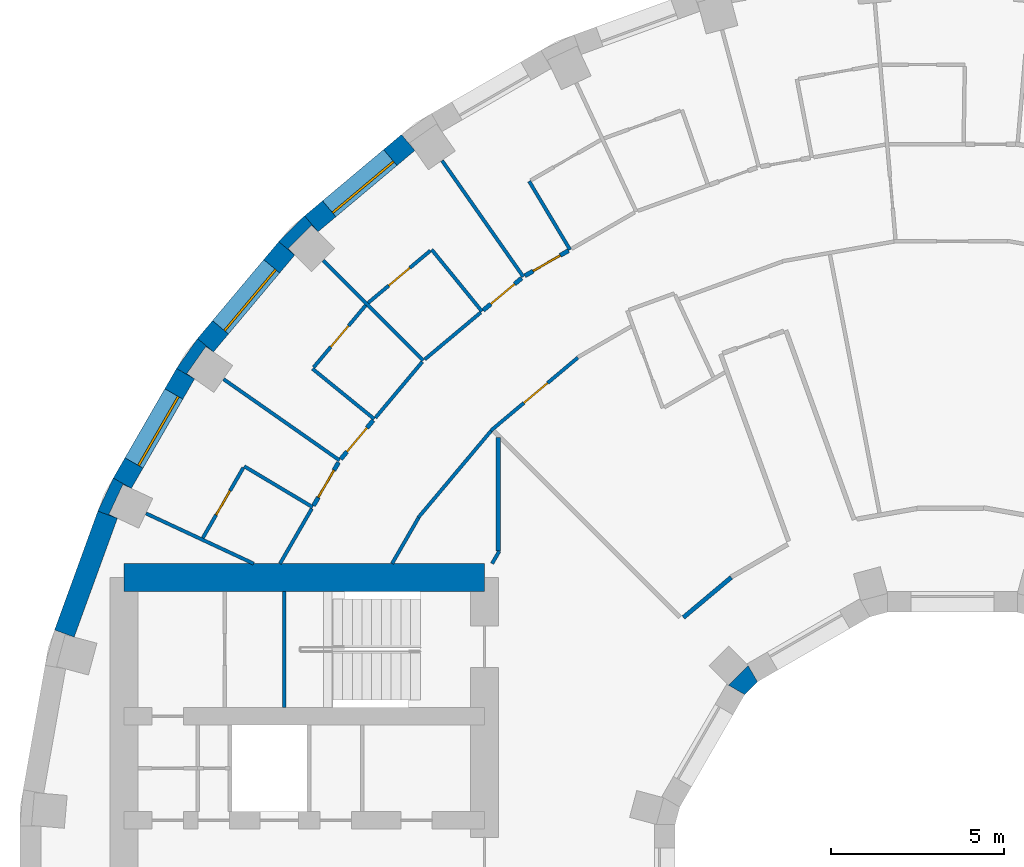
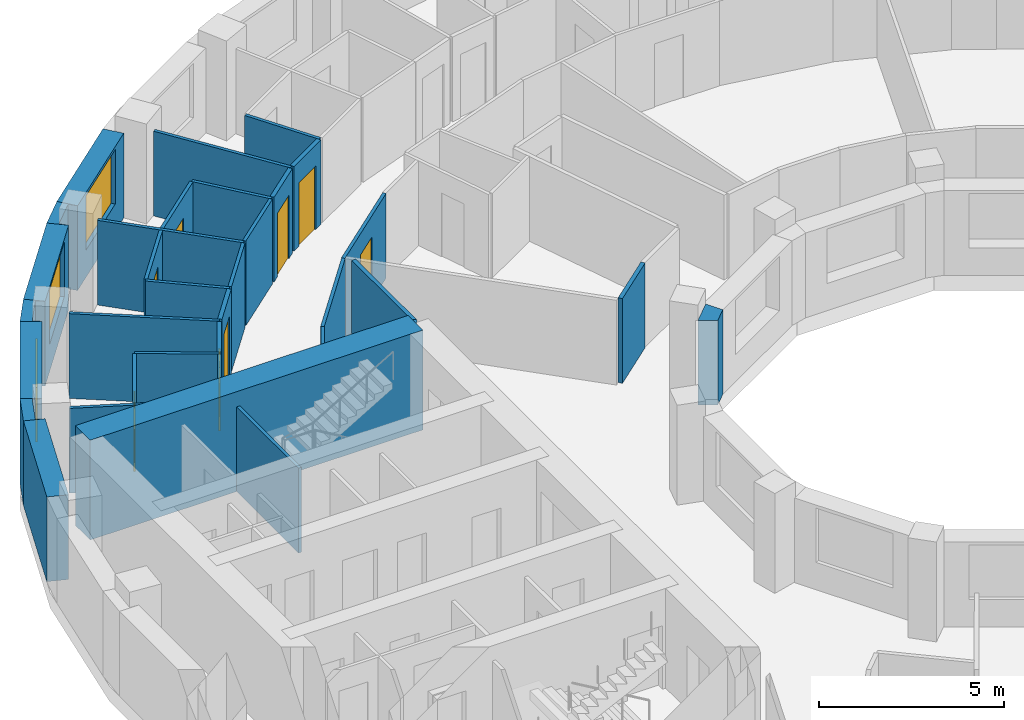
# One storey, part 9 of 14: 34 walls, 8 doors, 3 windows, 11 openings.
"""IFC4 building model written with IfcOpenShell, lengths in metres."""

from ifc_helpers import new_model, si_unit, direction, frame, frame_2d, origin, place, context, subcontext, project, spatial, polyline, rectangle, outline, extrude, material, layer, layer_set, type_object, element, fill, save


model = new_model("IFC4")

# Units and contexts
model_context = context("Model", 3, precision=1e-05, world=origin(), true_north=direction((0.0, 1.0)))
body_context = subcontext(model_context, "Body", "Model", "MODEL_VIEW")
ifc_project = project(units=[si_unit("LENGTHUNIT", "METRE"), si_unit("AREAUNIT", "SQUARE_METRE"), si_unit("VOLUMEUNIT", "CUBIC_METRE"), si_unit("PLANEANGLEUNIT", "RADIAN"), si_unit("MASSUNIT", "GRAM", prefix="KILO")], contexts=[model_context])

# Site, building, storey
site_placement = place(None, origin())
site = spatial("IfcSite", under=ifc_project, at=site_placement, CompositionType="ELEMENT")
building_placement = place(site_placement, origin())
building = spatial("IfcBuilding", under=site, at=building_placement, Name="Saqina Gate Tower", CompositionType="ELEMENT")
storey_placement = place(building_placement, frame((0.0, 0.0, 134.800048828125)))
storey = spatial("IfcBuildingStorey", under=building, at=storey_placement, Name="L38", CompositionType="ELEMENT", Elevation=134.800048828125)

# Walls
ifc_material_1 = material(Name="Brick masonry (buff)", Category="masonry")
wall_type_1 = type_object("IfcWallType", Name="BRICK PIER COPING BUFF", PredefinedType="SOLIDWALL", material=ifc_material_1)
wall_1_placement = place(storey_placement, origin())
element("IfcWall", 1, at=wall_1_placement, inside=storey, type_object=wall_type_1, Name="Pier cap L38 column 14", PredefinedType="SOLIDWALL", context=body_context, shape_type="SweptSolid", body=[
    extrude(outline(polyline([(-18.686279296875, 19.43212890625), (-19.43212890625, 18.686279296875), (-18.972412109375, 18.30078125), (-19.16259765625, 18.49072265625), (-18.49072265625, 19.16259765625), (-18.30078125, 18.972412109375), (-18.686279296875, 19.43212890625)])), origin(), (0.0, 0.0, 1.0), 2.800048828125),
])
wall_2_placement = place(storey_placement, origin())
element("IfcWall", 2, at=wall_2_placement, inside=storey, type_object=wall_type_1, Name="Pier cap L38 column 15", PredefinedType="SOLIDWALL", context=body_context, shape_type="SweptSolid", body=[
    extrude(outline(polyline([(-22.3818359375, 15.0283203125), (-21.862060546875, 14.728271484375), (-22.08251953125, 14.88232421875), (-21.53759765625, 15.66064453125), (-21.317138671875, 15.50634765625), (-21.77685546875, 15.89208984375), (-22.3818359375, 15.0283203125)])), origin(), (0.0, 0.0, 1.0), 2.800048828125),
])
wall_3_placement = place(storey_placement, origin())
element("IfcWall", 3, at=wall_3_placement, inside=storey, type_object=wall_type_1, Name="Pier cap L38 column 16", PredefinedType="SOLIDWALL", context=body_context, shape_type="SweptSolid", body=[
    extrude(outline(polyline([(-24.6513671875, 10.913330078125), (-24.08740234375, 10.7080078125), (-24.331298828125, 10.82177734375), (-23.9296875, 11.6826171875), (-23.68603515625, 11.569091796875), (-24.205810546875, 11.869140625), (-24.6513671875, 10.913330078125)])), origin(), (0.0, 0.0, 1.0), 2.800048828125),
])

# Wall, opening, window
ifc_material_2 = material(Name="Brick masonry (buff)", Category="masonry")
ifc_layer_1 = layer(ifc_material_2, 0.60009765625)
ifc_layer_set_1 = layer_set([ifc_layer_1], Name="FW-BRICK-BUFF")
wall_type_2 = type_object("IfcWallType", Name="FW-BRICK-BUFF", PredefinedType="SOLIDWALL", material=ifc_layer_set_1)
wall_4_placement = place(storey_placement, frame((-15.69921875, 21.547119140625, 0.0), z_axis=(0.0, 0.0, 1.0), x_axis=(-0.766055462616, -0.642774476932, 0.0)))
wall_4 = element("IfcWall", 4, at=wall_4_placement, inside=storey, type_object=wall_type_2, Name="Facade wall L38 facet 13", PredefinedType="SOLIDWALL", context=body_context, shape_type="SweptSolid", body=[
    extrude(rectangle(XDim=3.647705078125, YDim=0.60009765625, at=frame_2d((1.82373046875, 0.0))), origin(), (0.0, 0.0, 1.0), 2.800048828125),
])
opening_1_placement = place(wall_4_placement, frame((0.673828125, 0.0, 0.89990234375)))
opening_1 = element("IfcOpeningElement", 5, at=opening_1_placement, cuts=wall_4, Name="Opening G11-W11", PredefinedType="OPENING", context=body_context, shape_type="SweptSolid", body=[
    extrude(rectangle(XDim=2.300048828125, YDim=1.800048828125, at=frame_2d((1.14990234375, 0.89990234375))), frame((0.0, 0.31201171875, 0.0), z_axis=(0.0, -1.0, 0.0), x_axis=(1.0, 0.0, 0.0)), (0.0, 0.0, 1.0), 0.6240234375),
])
ifc_material_3 = material(Name="Aluminium glazing", Category="aluminium")
window_type = type_object("IfcWindowType", Name="WN-B", PartitioningType="SINGLE_PANEL", PredefinedType="WINDOW", material=ifc_material_3)
window_1_placement = place(opening_1_placement, origin())
window_1 = element("IfcWindow", 6, at=window_1_placement, inside=storey, type_object=window_type, Name="Window L38 facet 13", OverallHeight=1.800048828125, OverallWidth=2.300048828125, PartitioningType="SINGLE_PANEL", PredefinedType="WINDOW", context=body_context, shape_type="SweptSolid", body=[
    extrude(rectangle(XDim=2.300048828125, YDim=1.800048828125, at=frame_2d((1.14990234375, 0.89990234375))), frame((0.0, 0.179931640625, 0.0), z_axis=(0.0, -1.0, 0.0), x_axis=(1.0, 0.0, 0.0)), (0.0, 0.0, 1.0), 0.06005859375),
])
fill(opening_1, window_1)

wall_5_placement = place(storey_placement, frame((-19.202392578125, 18.49365234375, 0.0), z_axis=(0.0, 0.0, 1.0), x_axis=(-0.642774476932, -0.766055462616, 0.0)))
wall_5 = element("IfcWall", 7, at=wall_5_placement, inside=storey, type_object=wall_type_2, Name="Facade wall L38 facet 14", PredefinedType="SOLIDWALL", context=body_context, shape_type="SweptSolid", body=[
    extrude(rectangle(XDim=3.647705078125, YDim=0.60009765625, at=frame_2d((1.82373046875, 0.0))), origin(), (0.0, 0.0, 1.0), 2.800048828125),
])
opening_2_placement = place(wall_5_placement, frame((0.673828125, 0.0, 0.89990234375)))
opening_2 = element("IfcOpeningElement", 8, at=opening_2_placement, cuts=wall_5, Name="Opening G11-W12", PredefinedType="OPENING", context=body_context, shape_type="SweptSolid", body=[
    extrude(rectangle(XDim=2.300048828125, YDim=1.800048828125, at=frame_2d((1.14990234375, 0.89990234375))), frame((0.0, 0.31201171875, 0.0), z_axis=(0.0, -1.0, 0.0), x_axis=(1.0, 0.0, 0.0)), (0.0, 0.0, 1.0), 0.6240234375),
])
window_2_placement = place(opening_2_placement, origin())
window_2 = element("IfcWindow", 9, at=window_2_placement, inside=storey, type_object=window_type, Name="Window L38 facet 14", OverallHeight=1.800048828125, OverallWidth=2.300048828125, PartitioningType="SINGLE_PANEL", PredefinedType="WINDOW", context=body_context, shape_type="SweptSolid", body=[
    extrude(rectangle(XDim=2.300048828125, YDim=1.800048828125, at=frame_2d((1.14990234375, 0.89990234375))), frame((0.0, 0.179931640625, 0.0), z_axis=(0.0, -1.0, 0.0), x_axis=(1.0, 0.0, 0.0)), (0.0, 0.0, 1.0), 0.06005859375),
])
fill(opening_2, window_2)

wall_6_placement = place(storey_placement, frame((-22.1220703125, 14.878173828125, 0.0), z_axis=(0.0, 0.0, 1.0), x_axis=(-0.499954196102, -0.866051847062, 0.0)))
wall_6 = element("IfcWall", 10, at=wall_6_placement, inside=storey, type_object=wall_type_2, Name="Facade wall L38 facet 15", PredefinedType="SOLIDWALL", context=body_context, shape_type="SweptSolid", body=[
    extrude(rectangle(XDim=3.647705078125, YDim=0.60009765625, at=frame_2d((1.82373046875, 0.0))), origin(), (0.0, 0.0, 1.0), 2.800048828125),
])
opening_3_placement = place(wall_6_placement, frame((0.673828125, 0.0, 0.89990234375)))
opening_3 = element("IfcOpeningElement", 11, at=opening_3_placement, cuts=wall_6, Name="Opening G11-W13", PredefinedType="OPENING", context=body_context, shape_type="SweptSolid", body=[
    extrude(rectangle(XDim=2.300048828125, YDim=1.800048828125, at=frame_2d((1.14990234375, 0.89990234375))), frame((0.0, 0.31201171875, 0.0), z_axis=(0.0, -1.0, 0.0), x_axis=(1.0, 0.0, 0.0)), (0.0, 0.0, 1.0), 0.6240234375),
])
window_3_placement = place(opening_3_placement, origin())
window_3 = element("IfcWindow", 12, at=window_3_placement, inside=storey, type_object=window_type, Name="Window L38 facet 15", OverallHeight=1.800048828125, OverallWidth=2.300048828125, PartitioningType="SINGLE_PANEL", PredefinedType="WINDOW", context=body_context, shape_type="SweptSolid", body=[
    extrude(rectangle(XDim=2.300048828125, YDim=1.800048828125, at=frame_2d((1.14990234375, 0.89990234375))), frame((0.0, 0.179931640625, 0.0), z_axis=(0.0, -1.0, 0.0), x_axis=(1.0, 0.0, 0.0)), (0.0, 0.0, 1.0), 0.06005859375),
])
fill(opening_3, window_3)

# Walls
ifc_material_4 = material(Name="Glazed ceramic tile (dark blue)", Category="ceramic")
ifc_layer_2 = layer(ifc_material_4, 0.60009765625)
ifc_layer_set_2 = layer_set([ifc_layer_2], Name="FW-TILE-CB")
wall_type_3 = type_object("IfcWallType", Name="FW-TILE-CB", PredefinedType="SOLIDWALL", material=ifc_layer_set_2)
wall_7_placement = place(storey_placement, frame((-24.369384765625, 10.810791015625, 0.0), z_axis=(0.0, 0.0, 1.0), x_axis=(-0.341990236633, -0.939703505393, 0.0)))
element("IfcWall", 13, at=wall_7_placement, inside=storey, type_object=wall_type_3, Name="Facade wall L38 facet 16", PredefinedType="SOLIDWALL", context=body_context, shape_type="SweptSolid", body=[
    extrude(rectangle(XDim=3.64794921875, YDim=0.60009765625, at=frame_2d((1.823974609375, 0.0))), origin(), (0.0, 0.0, 1.0), 2.800048828125),
])
ifc_material_5 = material(Name="Gypsum board on steel studs, 100 mm", Category="steel")
ifc_layer_3 = layer(ifc_material_5, 0.10009765625)
ifc_layer_set_3 = layer_set([ifc_layer_3], Name="PARTITION 100")
wall_type_4 = type_object("IfcWallType", Name="PARTITION 100", PredefinedType="PARTITIONING", material=ifc_layer_set_3)
wall_8_placement = place(storey_placement, frame((-12.208984375, 20.429931640625, 0.0), z_axis=(0.0, 0.0, 1.0), x_axis=(0.512902991174, -0.858446574718, 0.0)))
element("IfcWall", 14, at=wall_8_placement, inside=storey, type_object=wall_type_4, Name="PARTITION PW3-17", PredefinedType="PARTITIONING", context=body_context, shape_type="SweptSolid", body=[
    extrude(rectangle(XDim=2.300537109375, YDim=0.10009765625, at=frame_2d((1.150390625, 0.0))), origin(), (0.0, 0.0, 1.0), 2.800048828125),
])
wall_9_placement = place(storey_placement, frame((-14.720703125, 21.023681640625, 0.0), z_axis=(0.0, 0.0, 1.0), x_axis=(0.573638785945, -0.819108383097, 0.0)))
element("IfcWall", 15, at=wall_9_placement, inside=storey, type_object=wall_type_4, Name="PARTITION PW3-18", PredefinedType="PARTITIONING", context=body_context, shape_type="SweptSolid", body=[
    extrude(rectangle(XDim=4.085693359375, YDim=0.10009765625, at=frame_2d((2.04296875, 0.0))), origin(), (0.0, 0.0, 1.0), 2.800048828125),
])
wall_10_placement = place(storey_placement, frame((-15.02197265625, 18.4599609375, 0.0), z_axis=(0.0, 0.0, 1.0), x_axis=(0.6312357633, -0.775591007639, 0.0)))
element("IfcWall", 16, at=wall_10_placement, inside=storey, type_object=wall_type_4, Name="PARTITION PW3-19", PredefinedType="PARTITIONING", context=body_context, shape_type="SweptSolid", body=[
    extrude(rectangle(XDim=2.300048828125, YDim=0.10009765625, at=frame_2d((1.14990234375, 0.0))), origin(), (0.0, 0.0, 1.0), 2.800048828125),
])
wall_11_placement = place(storey_placement, frame((-18.14794921875, 18.14794921875, 0.0), z_axis=(0.0, 0.0, 1.0), x_axis=(0.707106781187, -0.707106781187, 0.0)))
element("IfcWall", 17, at=wall_11_placement, inside=storey, type_object=wall_type_4, Name="PARTITION PW3-21", PredefinedType="PARTITIONING", context=body_context, shape_type="SweptSolid", body=[
    extrude(rectangle(XDim=4.08544921875, YDim=0.10009765625, at=frame_2d((2.042724609375, 0.0))), origin(), (0.0, 0.0, 1.0), 2.800048828125),
])
wall_12_placement = place(storey_placement, frame((-18.4599609375, 15.02197265625, 0.0), z_axis=(0.0, 0.0, 1.0), x_axis=(0.775591007639, -0.6312357633, 0.0)))
element("IfcWall", 18, at=wall_12_placement, inside=storey, type_object=wall_type_4, Name="PARTITION PW3-24", PredefinedType="PARTITIONING", context=body_context, shape_type="SweptSolid", body=[
    extrude(rectangle(XDim=2.300048828125, YDim=0.10009765625, at=frame_2d((1.14990234375, 0.0))), origin(), (0.0, 0.0, 1.0), 2.800048828125),
])
wall_13_placement = place(storey_placement, frame((-21.023681640625, 14.720703125, 0.0), z_axis=(0.0, 0.0, 1.0), x_axis=(0.819108383097, -0.573638785945, 0.0)))
element("IfcWall", 19, at=wall_13_placement, inside=storey, type_object=wall_type_4, Name="PARTITION PW3-25", PredefinedType="PARTITIONING", context=body_context, shape_type="SweptSolid", body=[
    extrude(rectangle(XDim=4.085693359375, YDim=0.10009765625, at=frame_2d((2.04296875, 0.0))), origin(), (0.0, 0.0, 1.0), 2.800048828125),
])
wall_14_placement = place(storey_placement, frame((-20.429931640625, 12.208984375, 0.0), z_axis=(0.0, 0.0, 1.0), x_axis=(0.858446574718, -0.512902991174, 0.0)))
element("IfcWall", 20, at=wall_14_placement, inside=storey, type_object=wall_type_4, Name="PARTITION PW3-26", PredefinedType="PARTITIONING", context=body_context, shape_type="SweptSolid", body=[
    extrude(rectangle(XDim=2.300537109375, YDim=0.10009765625, at=frame_2d((1.150390625, 0.0))), origin(), (0.0, 0.0, 1.0), 2.800048828125),
])
wall_15_placement = place(storey_placement, frame((-23.260009765625, 10.84716796875, 0.0), z_axis=(0.0, 0.0, 1.0), x_axis=(0.906223222272, -0.422799564114, 0.0)))
element("IfcWall", 21, at=wall_15_placement, inside=storey, type_object=wall_type_4, Name="PARTITION PW3-28", PredefinedType="PARTITIONING", context=body_context, shape_type="SweptSolid", body=[
    extrude(rectangle(XDim=3.423095703125, YDim=0.10009765625, at=frame_2d((1.71142578125, 0.0))), origin(), (0.0, 0.0, 1.0), 2.800048828125),
])

# Wall, opening, door
wall_16_placement = place(storey_placement, frame((-13.310791015625, 13.2392578125, 0.0), z_axis=(0.0, 0.0, 1.0), x_axis=(0.76586207823, 0.643004881109, 0.0)))
wall_16 = element("IfcWall", 22, at=wall_16_placement, inside=storey, type_object=wall_type_4, Name="PARTITION PW3-64", PredefinedType="PARTITIONING", context=body_context, shape_type="SweptSolid", body=[
    extrude(rectangle(XDim=3.27294921875, YDim=0.10009765625, at=frame_2d((1.636474609375, 0.0))), origin(), (0.0, 0.0, 1.0), 2.800048828125),
])
opening_4_placement = place(wall_16_placement, frame((1.23681640625, 0.0, 0.0)))
opening_4 = element("IfcOpeningElement", 23, at=opening_4_placement, cuts=wall_16, Name="Opening G11-D21", PredefinedType="OPENING", context=body_context, shape_type="SweptSolid", body=[
    extrude(rectangle(XDim=0.89990234375, YDim=2.10009765625, at=frame_2d((0.449951171875, 1.050048828125))), frame((0.0, 0.06201171875, 0.0), z_axis=(0.0, -1.0, 0.0), x_axis=(1.0, 0.0, 0.0)), (0.0, 0.0, 1.0), 0.1240234375),
])
ifc_material_6 = material(Name="Timber door leaf, 900 mm", Category="wood")
door_type_1 = type_object("IfcDoorType", Name="DOOR 900 TIMBER", OperationType="SINGLE_SWING_LEFT", PredefinedType="DOOR", material=ifc_material_6)
door_1_placement = place(opening_4_placement, frame((0.89990234375, 0.0, 0.0), z_axis=(0.0, 0.0, 1.0), x_axis=(-1.0, 0.0, 0.0)))
door_1 = element("IfcDoor", 24, at=door_1_placement, inside=storey, type_object=door_type_1, Name="DOOR G11-D21", OperationType="SINGLE_SWING_LEFT", OverallHeight=2.10009765625, OverallWidth=0.89990234375, PredefinedType="DOOR", context=body_context, shape_type="SweptSolid", body=[
    extrude(rectangle(XDim=0.89990234375, YDim=2.10009765625, at=frame_2d((0.449951171875, 1.050048828125))), frame((0.0, 0.02490234375, 0.0), z_axis=(0.0, -1.0, 0.0), x_axis=(1.0, 0.0, 0.0)), (0.0, 0.0, 1.0), 0.050048828125),
])
fill(opening_4, door_1)

# Wall
wall_17_placement = place(storey_placement, frame((-15.2197265625, 15.2919921875, 0.0), z_axis=(0.0, 0.0, 1.0), x_axis=(0.766104886508, 0.642715569181, 0.0)))
element("IfcWall", 25, at=wall_17_placement, inside=storey, type_object=wall_type_4, Name="PARTITION PW3-65", PredefinedType="PARTITIONING", context=body_context, shape_type="SweptSolid", body=[
    extrude(rectangle(XDim=2.103271484375, YDim=0.10009765625, at=frame_2d((1.0517578125, 0.0))), origin(), (0.0, 0.0, 1.0), 2.800048828125),
])

# Wall, opening, door
wall_18_placement = place(storey_placement, frame((-16.852783203125, 16.923095703125, 0.0), z_axis=(0.0, 0.0, 1.0), x_axis=(0.765924716163, 0.642930267735, 0.0)))
wall_18 = element("IfcWall", 26, at=wall_18_placement, inside=storey, type_object=wall_type_4, Name="PARTITION PW3-66", PredefinedType="PARTITIONING", context=body_context, shape_type="SweptSolid", body=[
    extrude(rectangle(XDim=2.34033203125, YDim=0.10009765625, at=frame_2d((1.170166015625, 0.0))), origin(), (0.0, 0.0, 1.0), 2.800048828125),
])
opening_5_placement = place(wall_18_placement, frame((0.77001953125, 0.0, 0.0)))
opening_5 = element("IfcOpeningElement", 27, at=opening_5_placement, cuts=wall_18, Name="Opening G11-D22", PredefinedType="OPENING", context=body_context, shape_type="SweptSolid", body=[
    extrude(rectangle(XDim=0.800048828125, YDim=2.10009765625, at=frame_2d((0.39990234375, 1.050048828125))), frame((0.0, 0.06201171875, 0.0), z_axis=(0.0, -1.0, 0.0), x_axis=(1.0, 0.0, 0.0)), (0.0, 0.0, 1.0), 0.1240234375),
])
ifc_material_7 = material(Name="Timber door leaf, 800 mm", Category="wood")
door_type_2 = type_object("IfcDoorType", Name="DOOR 800 TIMBER", OperationType="SINGLE_SWING_LEFT", PredefinedType="DOOR", material=ifc_material_7)
door_2_placement = place(opening_5_placement, origin())
door_2 = element("IfcDoor", 28, at=door_2_placement, inside=storey, type_object=door_type_2, Name="DOOR G11-D22", OperationType="SINGLE_SWING_LEFT", OverallHeight=2.10009765625, OverallWidth=0.800048828125, PredefinedType="DOOR", context=body_context, shape_type="SweptSolid", body=[
    extrude(rectangle(XDim=0.800048828125, YDim=2.10009765625, at=frame_2d((0.39990234375, 1.050048828125))), frame((0.0, 0.02490234375, 0.0), z_axis=(0.0, -1.0, 0.0), x_axis=(1.0, 0.0, 0.0)), (0.0, 0.0, 1.0), 0.050048828125),
])
fill(opening_5, door_2)

# Walls
wall_19_placement = place(storey_placement, frame((-15.40869140625, 10.72705078125, 0.0), z_axis=(0.0, 0.0, 1.0), x_axis=(0.643004881109, 0.76586207823, 0.0)))
element("IfcWall", 29, at=wall_19_placement, inside=storey, type_object=wall_type_4, Name="PARTITION PW3-69", PredefinedType="PARTITIONING", context=body_context, shape_type="SweptSolid", body=[
    extrude(rectangle(XDim=3.27294921875, YDim=0.10009765625, at=frame_2d((1.636474609375, 0.0))), origin(), (0.0, 0.0, 1.0), 2.800048828125),
])
wall_20_placement = place(storey_placement, frame((-16.643798828125, 13.6083984375, 0.0), z_axis=(0.0, 0.0, 1.0), x_axis=(0.642715569181, 0.766104886508, 0.0)))
element("IfcWall", 30, at=wall_20_placement, inside=storey, type_object=wall_type_4, Name="PARTITION PW3-70", PredefinedType="PARTITIONING", context=body_context, shape_type="SweptSolid", body=[
    extrude(rectangle(XDim=2.103271484375, YDim=0.10009765625, at=frame_2d((1.0517578125, 0.0))), origin(), (0.0, 0.0, 1.0), 2.800048828125),
])

# Wall, opening, door
wall_21_placement = place(storey_placement, frame((-18.427734375, 15.060302734375, 0.0), z_axis=(0.0, 0.0, 1.0), x_axis=(0.642930267735, 0.765924716163, 0.0)))
wall_21 = element("IfcWall", 31, at=wall_21_placement, inside=storey, type_object=wall_type_4, Name="PARTITION PW3-71", PredefinedType="PARTITIONING", context=body_context, shape_type="SweptSolid", body=[
    extrude(rectangle(XDim=2.34033203125, YDim=0.10009765625, at=frame_2d((1.170166015625, 0.0))), origin(), (0.0, 0.0, 1.0), 2.800048828125),
])
opening_6_placement = place(wall_21_placement, frame((0.77001953125, 0.0, 0.0)))
opening_6 = element("IfcOpeningElement", 32, at=opening_6_placement, cuts=wall_21, Name="Opening G11-D23", PredefinedType="OPENING", context=body_context, shape_type="SweptSolid", body=[
    extrude(rectangle(XDim=0.800048828125, YDim=2.10009765625, at=frame_2d((0.39990234375, 1.050048828125))), frame((0.0, 0.06201171875, 0.0), z_axis=(0.0, -1.0, 0.0), x_axis=(1.0, 0.0, 0.0)), (0.0, 0.0, 1.0), 0.1240234375),
])
door_3_placement = place(opening_6_placement, origin())
door_3 = element("IfcDoor", 33, at=door_3_placement, inside=storey, type_object=door_type_2, Name="DOOR G11-D23", OperationType="SINGLE_SWING_LEFT", OverallHeight=2.10009765625, OverallWidth=0.800048828125, PredefinedType="DOOR", context=body_context, shape_type="SweptSolid", body=[
    extrude(rectangle(XDim=0.800048828125, YDim=2.10009765625, at=frame_2d((0.39990234375, 1.050048828125))), frame((0.0, 0.02490234375, 0.0), z_axis=(0.0, -1.0, 0.0), x_axis=(1.0, 0.0, 0.0)), (0.0, 0.0, 1.0), 0.050048828125),
])
fill(opening_6, door_3)

# Walls
wall_22_placement = place(storey_placement, frame((-16.1640625, 9.39990234375, 0.0), z_axis=(0.0, 0.0, 1.0), x_axis=(0.499750133086, 0.866169616461, 0.0)))
element("IfcWall", 34, at=wall_22_placement, inside=storey, type_object=wall_type_4, Name="PARTITION PW3-75", PredefinedType="PARTITIONING", context=body_context, shape_type="SweptSolid", body=[
    extrude(rectangle(XDim=1.527099609375, YDim=0.10009765625, at=frame_2d((0.763671875, 0.0))), origin(), (0.0, 0.0, 1.0), 2.800048828125),
])
wall_23_placement = place(storey_placement, frame((-19.39599609375, 9.39990234375, 0.0), z_axis=(0.0, 0.0, 1.0), x_axis=(0.500210961829, 0.865903570651, 0.0)))
element("IfcWall", 35, at=wall_23_placement, inside=storey, type_object=wall_type_4, Name="PARTITION PW3-76", PredefinedType="PARTITIONING", context=body_context, shape_type="SweptSolid", body=[
    extrude(rectangle(XDim=1.831298828125, YDim=0.10009765625, at=frame_2d((0.91552734375, 0.0))), origin(), (0.0, 0.0, 1.0), 2.800048828125),
])

# Wall, opening, door
wall_24_placement = place(storey_placement, frame((-21.625, 10.139404296875, 0.0), z_axis=(0.0, 0.0, 1.0), x_axis=(0.499999433879, 0.866025730634, 0.0)))
wall_24 = element("IfcWall", 36, at=wall_24_placement, inside=storey, type_object=wall_type_4, Name="PARTITION PW3-77", PredefinedType="PARTITIONING", context=body_context, shape_type="SweptSolid", body=[
    extrude(rectangle(XDim=2.33984375, YDim=0.10009765625, at=frame_2d((1.169921875, 0.0))), origin(), (0.0, 0.0, 1.0), 2.800048828125),
])
opening_7_placement = place(wall_24_placement, frame((0.77001953125, 0.0, 0.0)))
opening_7 = element("IfcOpeningElement", 37, at=opening_7_placement, cuts=wall_24, Name="Opening G11-D26", PredefinedType="OPENING", context=body_context, shape_type="SweptSolid", body=[
    extrude(rectangle(XDim=0.800048828125, YDim=2.10009765625, at=frame_2d((0.39990234375, 1.050048828125))), frame((0.0, 0.06201171875, 0.0), z_axis=(0.0, -1.0, 0.0), x_axis=(1.0, 0.0, 0.0)), (0.0, 0.0, 1.0), 0.1240234375),
])
door_4_placement = place(opening_7_placement, origin())
door_4 = element("IfcDoor", 38, at=door_4_placement, inside=storey, type_object=door_type_2, Name="DOOR G11-D26", OperationType="SINGLE_SWING_RIGHT", OverallHeight=2.10009765625, OverallWidth=0.800048828125, PredefinedType="DOOR", context=body_context, shape_type="SweptSolid", body=[
    extrude(rectangle(XDim=0.800048828125, YDim=2.10009765625, at=frame_2d((0.39990234375, 1.050048828125))), frame((0.0, 0.02490234375, 0.0), z_axis=(0.0, -1.0, 0.0), x_axis=(1.0, 0.0, 0.0)), (0.0, 0.0, 1.0), 0.050048828125),
])
fill(opening_7, door_4)

# Wall
wall_25_placement = place(storey_placement, frame((-13.278076171875, 9.40087890625, 0.0), z_axis=(0.0, 0.0, 1.0), x_axis=(0.498991260101, 0.866607017248, 0.0)))
element("IfcWall", 39, at=wall_25_placement, inside=storey, type_object=wall_type_4, Name="PARTITION PW3-78", PredefinedType="PARTITIONING", context=body_context, shape_type="SweptSolid", body=[
    extrude(rectangle(XDim=0.414306640625, YDim=0.10009765625, at=frame_2d((0.20703125, 0.0))), origin(), (0.0, 0.0, 1.0), 2.800048828125),
])

# Wall, opening, door
ifc_material_8 = material(Name="Gypsum board on steel studs, 125 mm, fire rated", Category="steel")
ifc_layer_4 = layer(ifc_material_8, 0.125)
ifc_layer_set_4 = layer_set([ifc_layer_4], Name="PARTITION EI 30 125")
wall_type_5 = type_object("IfcWallType", Name="PARTITION EI 30 125", PredefinedType="PARTITIONING", material=ifc_layer_set_4)
wall_26_placement = place(storey_placement, frame((-12.333740234375, 17.701904296875, 0.0), z_axis=(0.0, 0.0, 1.0), x_axis=(0.866110229381, 0.499853048967, 0.0)))
wall_26 = element("IfcWall", 40, at=wall_26_placement, inside=storey, type_object=wall_type_5, Name="PARTITION PW1-33", PredefinedType="PARTITIONING", context=body_context, shape_type="SweptSolid", body=[
    extrude(rectangle(XDim=1.45654296875, YDim=0.125, at=frame_2d((0.728271484375, 0.0))), origin(), (0.0, 0.0, 1.0), 2.800048828125),
])
opening_8_placement = place(wall_26_placement, frame((0.2783203125, 0.0, 0.0)))
opening_8 = element("IfcOpeningElement", 41, at=opening_8_placement, cuts=wall_26, Name="Opening G11-D19", PredefinedType="OPENING", context=body_context, shape_type="SweptSolid", body=[
    extrude(rectangle(XDim=0.89990234375, YDim=2.10009765625, at=frame_2d((0.449951171875, 1.050048828125))), frame((0.0, 0.074462890625, 0.0), z_axis=(0.0, -1.0, 0.0), x_axis=(1.0, 0.0, 0.0)), (0.0, 0.0, 1.0), 0.14892578125),
])
ifc_material_9 = material(Name="Fire door leaf EI 30, 900 mm")
door_type_3 = type_object("IfcDoorType", Name="DOOR 900 EI 30", OperationType="SINGLE_SWING_LEFT", PredefinedType="DOOR", material=ifc_material_9)
door_5_placement = place(opening_8_placement, frame((0.89990234375, 0.0, 0.0), z_axis=(0.0, 0.0, 1.0), x_axis=(-1.0, 0.0, 0.0)))
door_5 = element("IfcDoor", 42, at=door_5_placement, inside=storey, type_object=door_type_3, Name="DOOR G11-D19", OperationType="SINGLE_SWING_RIGHT", OverallHeight=2.10009765625, OverallWidth=0.89990234375, PredefinedType="DOOR", context=body_context, shape_type="SweptSolid", body=[
    extrude(rectangle(XDim=0.89990234375, YDim=2.10009765625, at=frame_2d((0.449951171875, 1.050048828125))), frame((0.0, 0.02490234375, 0.0), z_axis=(0.0, -1.0, 0.0), x_axis=(1.0, 0.0, 0.0)), (0.0, 0.0, 1.0), 0.050048828125),
])
fill(opening_8, door_5)

# Wall
wall_27_placement = place(storey_placement, frame((-7.759033203125, 7.84619140625, 0.0), z_axis=(0.0, 0.0, 1.0), x_axis=(0.766228152444, 0.64256860988, 0.0)))
element("IfcWall", 43, at=wall_27_placement, inside=storey, type_object=wall_type_5, Name="PARTITION PW1-35", PredefinedType="PARTITIONING", context=body_context, shape_type="SweptSolid", body=[
    extrude(rectangle(XDim=1.800537109375, YDim=0.125, at=frame_2d((0.900390625, 0.0))), origin(), (0.0, 0.0, 1.0), 2.800048828125),
])

# Wall, opening, door
wall_28_placement = place(storey_placement, frame((-13.53173828125, 16.708251953125, 0.0), z_axis=(0.0, 0.0, 1.0), x_axis=(0.766167387458, 0.642641061866, 0.0)))
wall_28 = element("IfcWall", 44, at=wall_28_placement, inside=storey, type_object=wall_type_5, Name="PARTITION PW1-36", PredefinedType="PARTITIONING", context=body_context, shape_type="SweptSolid", body=[
    extrude(rectangle(XDim=1.44482421875, YDim=0.125, at=frame_2d((0.722412109375, 0.0))), origin(), (0.0, 0.0, 1.0), 2.800048828125),
])
opening_9_placement = place(wall_28_placement, frame((0.27880859375, 0.0, 0.0)))
opening_9 = element("IfcOpeningElement", 45, at=opening_9_placement, cuts=wall_28, Name="Opening G11-D20", PredefinedType="OPENING", context=body_context, shape_type="SweptSolid", body=[
    extrude(rectangle(XDim=0.89990234375, YDim=2.10009765625, at=frame_2d((0.449951171875, 1.050048828125))), frame((0.0, 0.074462890625, 0.0), z_axis=(0.0, -1.0, 0.0), x_axis=(1.0, 0.0, 0.0)), (0.0, 0.0, 1.0), 0.14892578125),
])
door_6_placement = place(opening_9_placement, frame((0.89990234375, 0.0, 0.0), z_axis=(0.0, 0.0, 1.0), x_axis=(-1.0, 0.0, 0.0)))
door_6 = element("IfcDoor", 46, at=door_6_placement, inside=storey, type_object=door_type_3, Name="DOOR G11-D20", OperationType="SINGLE_SWING_LEFT", OverallHeight=2.10009765625, OverallWidth=0.89990234375, PredefinedType="DOOR", context=body_context, shape_type="SweptSolid", body=[
    extrude(rectangle(XDim=0.89990234375, YDim=2.10009765625, at=frame_2d((0.449951171875, 1.050048828125))), frame((0.0, 0.02490234375, 0.0), z_axis=(0.0, -1.0, 0.0), x_axis=(1.0, 0.0, 0.0)), (0.0, 0.0, 1.0), 0.050048828125),
])
fill(opening_9, door_6)

wall_29_placement = place(storey_placement, frame((-17.644775390625, 12.415283203125, 0.0), z_axis=(0.0, 0.0, 1.0), x_axis=(0.642669367872, 0.766143644233, 0.0)))
wall_29 = element("IfcWall", 47, at=wall_29_placement, inside=storey, type_object=wall_type_5, Name="PARTITION PW1-39", PredefinedType="PARTITIONING", context=body_context, shape_type="SweptSolid", body=[
    extrude(rectangle(XDim=1.457275390625, YDim=0.125, at=frame_2d((0.728515625, 0.0))), origin(), (0.0, 0.0, 1.0), 2.800048828125),
])
opening_10_placement = place(wall_29_placement, frame((0.27880859375, 0.0, 0.0)))
opening_10 = element("IfcOpeningElement", 48, at=opening_10_placement, cuts=wall_29, Name="Opening G11-D24", PredefinedType="OPENING", context=body_context, shape_type="SweptSolid", body=[
    extrude(rectangle(XDim=0.89990234375, YDim=2.10009765625, at=frame_2d((0.449951171875, 1.050048828125))), frame((0.0, 0.074462890625, 0.0), z_axis=(0.0, -1.0, 0.0), x_axis=(1.0, 0.0, 0.0)), (0.0, 0.0, 1.0), 0.14892578125),
])
door_7_placement = place(opening_10_placement, frame((0.89990234375, 0.0, 0.0), z_axis=(0.0, 0.0, 1.0), x_axis=(-1.0, 0.0, 0.0)))
door_7 = element("IfcDoor", 49, at=door_7_placement, inside=storey, type_object=door_type_3, Name="DOOR G11-D24", OperationType="SINGLE_SWING_RIGHT", OverallHeight=2.10009765625, OverallWidth=0.89990234375, PredefinedType="DOOR", context=body_context, shape_type="SweptSolid", body=[
    extrude(rectangle(XDim=0.89990234375, YDim=2.10009765625, at=frame_2d((0.449951171875, 1.050048828125))), frame((0.0, 0.02490234375, 0.0), z_axis=(0.0, -1.0, 0.0), x_axis=(1.0, 0.0, 0.0)), (0.0, 0.0, 1.0), 0.050048828125),
])
fill(opening_10, door_7)

wall_30_placement = place(storey_placement, frame((-18.429931640625, 11.072265625, 0.0), z_axis=(0.0, 0.0, 1.0), x_axis=(0.499849317439, 0.866112382925, 0.0)))
wall_30 = element("IfcWall", 50, at=wall_30_placement, inside=storey, type_object=wall_type_5, Name="PARTITION PW1-42", PredefinedType="PARTITIONING", context=body_context, shape_type="SweptSolid", body=[
    extrude(rectangle(XDim=1.44384765625, YDim=0.125, at=frame_2d((0.721923828125, 0.0))), origin(), (0.0, 0.0, 1.0), 2.800048828125),
])
opening_11_placement = place(wall_30_placement, frame((0.2783203125, 0.0, 0.0)))
opening_11 = element("IfcOpeningElement", 51, at=opening_11_placement, cuts=wall_30, Name="Opening G11-D25", PredefinedType="OPENING", context=body_context, shape_type="SweptSolid", body=[
    extrude(rectangle(XDim=0.89990234375, YDim=2.10009765625, at=frame_2d((0.449951171875, 1.050048828125))), frame((0.0, 0.074462890625, 0.0), z_axis=(0.0, -1.0, 0.0), x_axis=(1.0, 0.0, 0.0)), (0.0, 0.0, 1.0), 0.14892578125),
])
door_8_placement = place(opening_11_placement, frame((0.89990234375, 0.0, 0.0), z_axis=(0.0, 0.0, 1.0), x_axis=(-1.0, 0.0, 0.0)))
door_8 = element("IfcDoor", 52, at=door_8_placement, inside=storey, type_object=door_type_3, Name="DOOR G11-D25", OperationType="SINGLE_SWING_LEFT", OverallHeight=2.10009765625, OverallWidth=0.89990234375, PredefinedType="DOOR", context=body_context, shape_type="SweptSolid", body=[
    extrude(rectangle(XDim=0.89990234375, YDim=2.10009765625, at=frame_2d((0.449951171875, 1.050048828125))), frame((0.0, 0.02490234375, 0.0), z_axis=(0.0, -1.0, 0.0), x_axis=(1.0, 0.0, 0.0)), (0.0, 0.0, 1.0), 0.050048828125),
])
fill(opening_11, door_8)

# Walls
wall_31_placement = place(storey_placement, frame((-13.10009765625, 9.760009765625, 0.0), z_axis=(0.0, 0.0, 1.0), x_axis=(0.0, 1.0, 0.0)))
element("IfcWall", 53, at=wall_31_placement, inside=storey, type_object=wall_type_5, Name="PARTITION PW1-48", PredefinedType="PARTITIONING", context=body_context, shape_type="SweptSolid", body=[
    extrude(rectangle(XDim=3.2724609375, YDim=0.125, at=frame_2d((1.63623046875, 0.0))), origin(), (0.0, 0.0, 1.0), 2.800048828125),
])
ifc_material_10 = material(Name="Autoclaved aerated concrete block", Category="concrete")
ifc_layer_5 = layer(ifc_material_10, 0.10009765625)
ifc_layer_set_5 = layer_set([ifc_layer_5], Name="STAIR ENCLOSURE WALL")
wall_type_6 = type_object("IfcWallType", Name="STAIR ENCLOSURE WALL", PredefinedType="PARTITIONING", material=ifc_layer_set_5)
wall_32_placement = place(storey_placement, frame((-19.27001953125, 5.25, 0.0), z_axis=(0.0, 0.0, 1.0), x_axis=(0.0, 1.0, 0.0)))
element("IfcWall", 54, at=wall_32_placement, inside=storey, type_object=wall_type_6, Name="L38-CP-W12", PredefinedType="PARTITIONING", context=body_context, shape_type="SweptSolid", body=[
    extrude(rectangle(XDim=3.35009765625, YDim=0.10009765625, at=frame_2d((1.675048828125, 0.0))), origin(), (0.0, 0.0, 1.0), 2.800048828125),
])
ifc_material_11 = material(Name="Concrete C70/85", Category="concrete")
ifc_layer_6 = layer(ifc_material_11, 0.800048828125)
ifc_layer_set_6 = layer_set([ifc_layer_6], Name="Concrete C70/85")
wall_type_7 = type_object("IfcWallType", Name="STR-CORE WALL-B-O", PredefinedType="SHEAR", material=ifc_layer_set_6)
wall_33_placement = place(storey_placement, frame((-13.5, 9.0, 0.0), z_axis=(0.0, 0.0, 1.0), x_axis=(-1.0, 0.0, 0.0)))
element("IfcWall", 55, at=wall_33_placement, inside=storey, type_object=wall_type_7, Name="CORE WALL L38 W-NE", PredefinedType="SHEAR", context=body_context, shape_type="SweptSolid", body=[
    extrude(rectangle(XDim=10.39990234375, YDim=0.800048828125, at=frame_2d((5.199951171875, 0.0))), origin(), (0.0, 0.0, 1.0), 3.300048828125),
])
ifc_material_12 = material(Name="Glazed ceramic tile", Category="ceramic")
wall_type_8 = type_object("IfcWallType", Name="TILE PIER COPING", PredefinedType="SOLIDWALL", material=ifc_material_12)
wall_34_placement = place(storey_placement, origin())
element("IfcWall", 56, at=wall_34_placement, inside=storey, type_object=wall_type_8, Name="Well pier cap L38 column 5", PredefinedType="SOLIDWALL", context=body_context, shape_type="SweptSolid", body=[
    extrude(outline(polyline([(-6.45751953125, 5.891845703125), (-5.991455078125, 5.622802734375), (-5.622802734375, 5.991455078125), (-5.891845703125, 6.45751953125), (-6.45751953125, 5.891845703125)])), origin(), (0.0, 0.0, 1.0), 2.800048828125),
])

save(model, "model.ifc")
